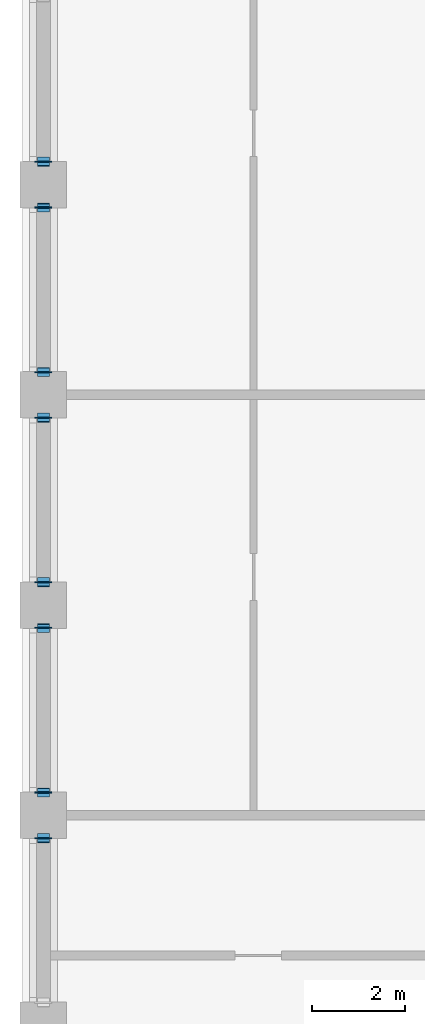
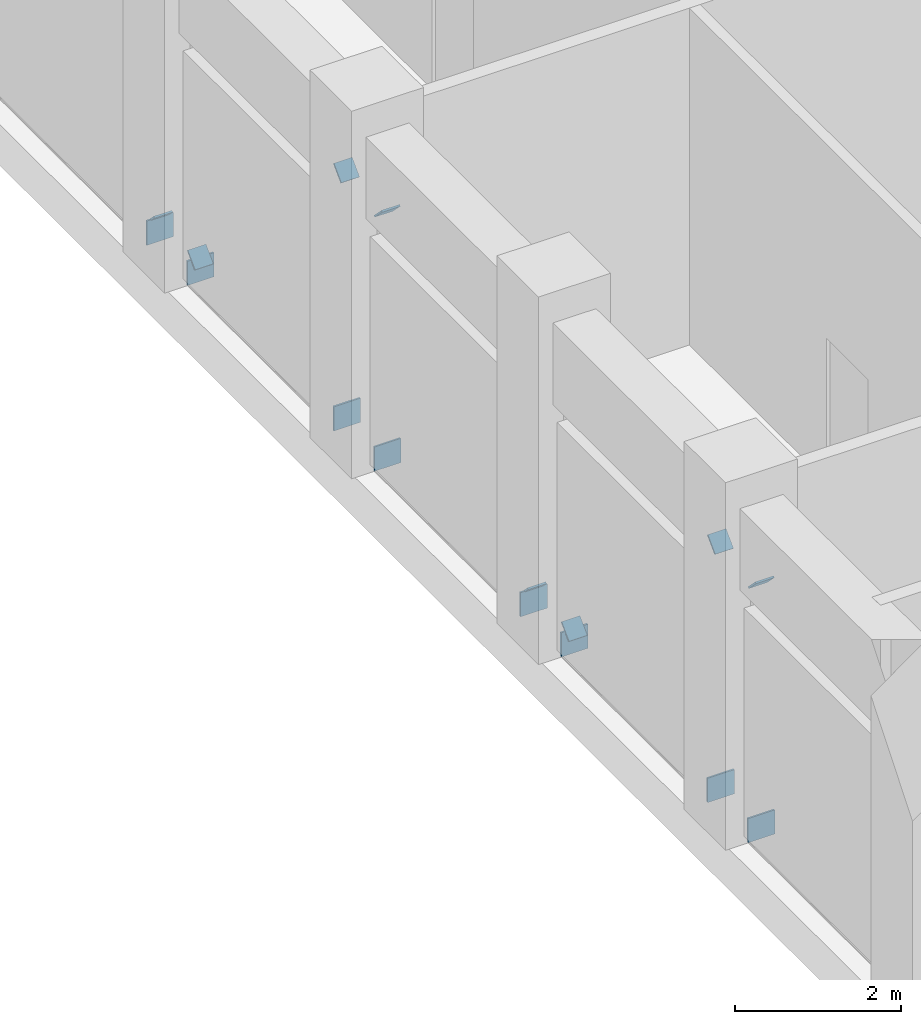
# One storey, part 9 of 20: 16 discrete accessories.
"""IFC4 building model written with IfcOpenShell, lengths in metres."""

from ifc_helpers import new_model, si_unit, direction, frame, origin, origin_2d, place, context, subcontext, project, spatial, rectangle, extrude, material, material_profile, profile_set, type_object, element, save


model = new_model("IFC4")

# Units and contexts
model_context = context("Model", 3, precision=1e-05, world=origin(), true_north=direction((0.0, 1.0)))
body_context = subcontext(model_context, "Body", "Model", "MODEL_VIEW")
ifc_project = project(units=[si_unit("LENGTHUNIT", "METRE"), si_unit("AREAUNIT", "SQUARE_METRE"), si_unit("VOLUMEUNIT", "CUBIC_METRE"), si_unit("PLANEANGLEUNIT", "RADIAN"), si_unit("MASSUNIT", "GRAM", prefix="KILO")], contexts=[model_context])

# Site, building, storey
site_placement = place(None, origin())
site = spatial("IfcSite", under=ifc_project, at=site_placement, CompositionType="ELEMENT")
building_placement = place(site_placement, origin())
building = spatial("IfcBuilding", under=site, at=building_placement, Name="Corbel Stack Research Tower", CompositionType="ELEMENT")
storey_placement = place(building_placement, frame((0.0, 0.0, 151.39990234375)))
storey = spatial("IfcBuildingStorey", under=building, at=storey_placement, Name="L34", CompositionType="ELEMENT", Elevation=151.39990234375)

# Discrete accessories
ifc_material_1 = material(Name="Steel S355", Category="steel")
ifc_material_profile_1 = material_profile(ifc_material_1, rectangle(XDim=0.25390625, YDim=0.25390625, at=origin_2d()), Name="End plate 254x254x25")
ifc_profile_set_1 = profile_set([ifc_material_profile_1], Name="Steel S355")
discrete_accessory_type_1 = type_object("IfcDiscreteAccessoryType", Name="End plate 254x254x25", PredefinedType="ANCHORPLATE", material=ifc_profile_set_1)
for number, where, z_axis, x_axis, name in (
    (1, (-27.0, 5.0, 0.356201171875), (0.0, -0.711966448453, -0.702213483406), (1.0, 0.0, 0.0), "Belt truss end plate L34-36d1"),
    (2, (-27.0, 4.0, 0.356201171875), (0.0, 0.711966448453, -0.702213483406), (-1.0, 0.0, 0.0), "Belt truss end plate L34-37d1"),
    (3, (-27.0, 0.5, 3.75), (0.0, -0.711966448453, 0.702213483406), (1.0, 0.0, 0.0), "Belt truss end plate L34-37d2"),
    (4, (-27.0, -4.0, 0.356201171875), (0.0, -0.711966448453, -0.702213483406), (1.0, 0.0, 0.0), "Belt truss end plate L34-38d1"),
    (5, (-27.0, -0.5, 3.75), (0.0, 0.711966448453, 0.702213483406), (-1.0, 0.0, 0.0), "Belt truss end plate L34-38d2"),
    (6, (-27.0, -5.0, 0.356201171875), (0.0, 0.711966448453, -0.702213483406), (-1.0, 0.0, 0.0), "Belt truss end plate L34-39d1"),
    (7, (-27.0, -8.5, 3.75), (0.0, -0.711966448453, 0.702213483406), (1.0, 0.0, 0.0), "Belt truss end plate L34-39d2"),
    (8, (-27.0, -9.5, 3.75), (0.0, 0.711966448453, 0.702213483406), (-1.0, 0.0, 0.0), "Belt truss end plate L34-40d2"),
):
    element("IfcDiscreteAccessory", number, at=place(storey_placement, frame(where, z_axis=z_axis, x_axis=x_axis)), inside=storey, type_object=discrete_accessory_type_1, Name=name, PredefinedType="ANCHORPLATE", context=body_context, shape_type="SweptSolid", body=[
        extrude(rectangle(XDim=0.25390625, YDim=0.25390625, at=origin_2d()), origin(), (0.0, 0.0, 1.0), 0.025146484375),
    ])
ifc_material_2 = material(Name="Steel S355", Category="steel")
ifc_material_profile_2 = material_profile(ifc_material_2, rectangle(XDim=0.368896484375, YDim=0.35595703125, at=origin_2d()), Name="End plate 369x356x25")
ifc_profile_set_2 = profile_set([ifc_material_profile_2], Name="Steel S355")
discrete_accessory_type_2 = type_object("IfcDiscreteAccessoryType", Name="End plate 369x356x25", PredefinedType="ANCHORPLATE", material=ifc_profile_set_2)
for number, where, z_axis, x_axis, name in (
    (9, (-27.0, 5.0, 0.177978515625), (0.0, -1.0, 0.0), (1.0, 0.0, 0.0), "Belt truss end plate L34-36c2"),
    (10, (-27.0, 4.0, 0.177978515625), (0.0, 1.0, 0.0), (-1.0, 0.0, 0.0), "Belt truss end plate L34-37c1"),
    (11, (-27.0, 0.5, 0.177978515625), (0.0, -1.0, 0.0), (1.0, 0.0, 0.0), "Belt truss end plate L34-37c2"),
    (12, (-27.0, -0.5, 0.177978515625), (0.0, 1.0, 0.0), (-1.0, 0.0, 0.0), "Belt truss end plate L34-38c1"),
    (13, (-27.0, -4.0, 0.177978515625), (0.0, -1.0, 0.0), (1.0, 0.0, 0.0), "Belt truss end plate L34-38c2"),
    (14, (-27.0, -5.0, 0.177978515625), (0.0, 1.0, 0.0), (-1.0, 0.0, 0.0), "Belt truss end plate L34-39c1"),
    (15, (-27.0, -8.5, 0.177978515625), (0.0, -1.0, 0.0), (1.0, 0.0, 0.0), "Belt truss end plate L34-39c2"),
    (16, (-27.0, -9.5, 0.177978515625), (0.0, 1.0, 0.0), (-1.0, 0.0, 0.0), "Belt truss end plate L34-40c1"),
):
    element("IfcDiscreteAccessory", number, at=place(storey_placement, frame(where, z_axis=z_axis, x_axis=x_axis)), inside=storey, type_object=discrete_accessory_type_2, Name=name, PredefinedType="ANCHORPLATE", context=body_context, shape_type="SweptSolid", body=[
        extrude(rectangle(XDim=0.368896484375, YDim=0.35595703125, at=origin_2d()), origin(), (0.0, 0.0, 1.0), 0.02490234375),
    ])

save(model, "model.ifc")
